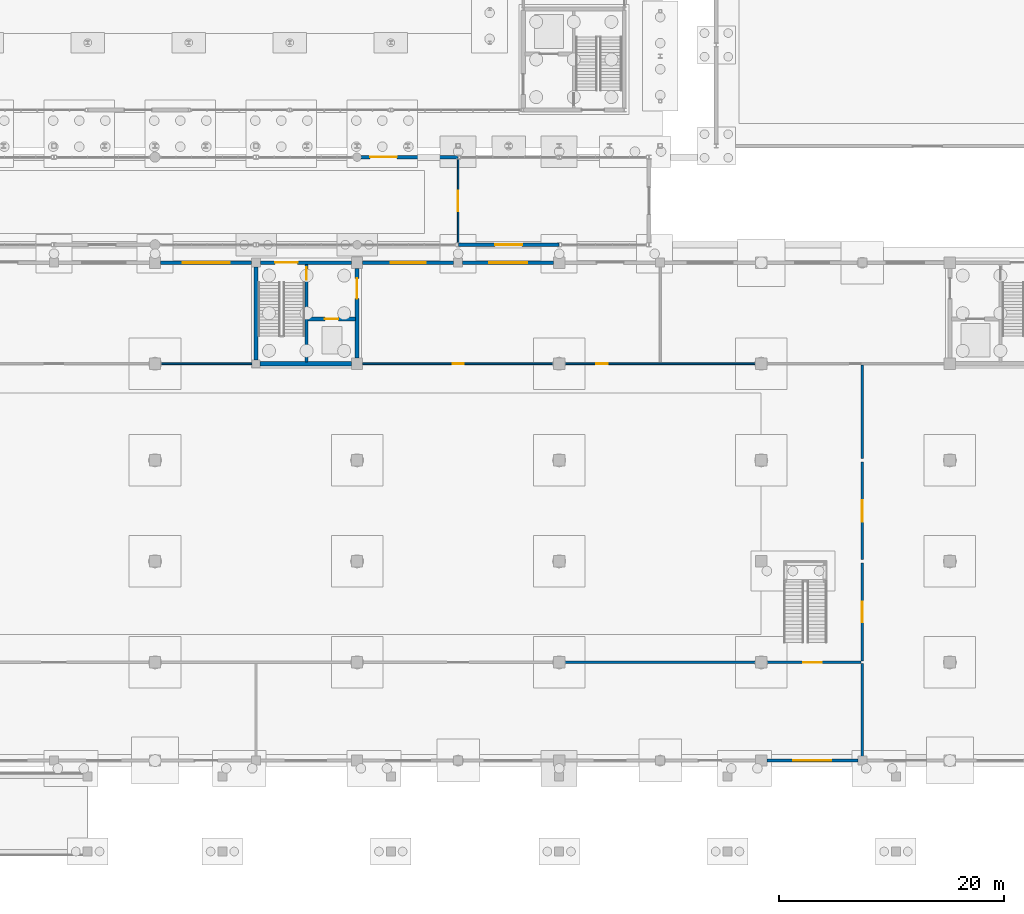
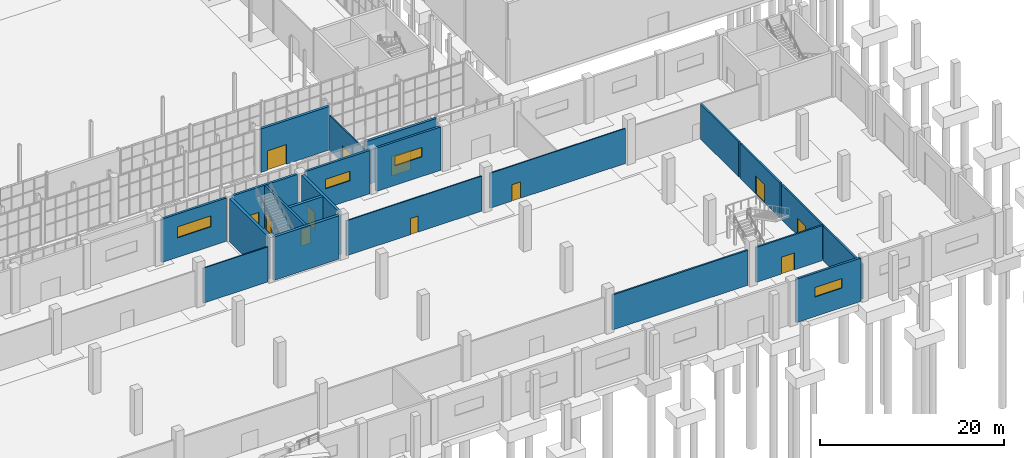
# One storey, part 104 of 131: 22 walls, 12 doors, 4 windows, 16 openings.
"""IFC4 building model written with IfcOpenShell, lengths in metres."""

from ifc_helpers import new_model, si_unit, direction, frame, frame_2d, origin, place, context, subcontext, project, spatial, rectangle, extrude, material, layer, layer_set, type_object, element, fill, save


model = new_model("IFC4")

# Units and contexts
model_context = context("Model", 3, precision=1e-05, world=origin(), true_north=direction((0.0, 1.0)))
body_context = subcontext(model_context, "Body", "Model", "MODEL_VIEW")
ifc_project = project(units=[si_unit("LENGTHUNIT", "METRE"), si_unit("AREAUNIT", "SQUARE_METRE"), si_unit("VOLUMEUNIT", "CUBIC_METRE"), si_unit("PLANEANGLEUNIT", "RADIAN"), si_unit("MASSUNIT", "GRAM", prefix="KILO")], contexts=[model_context])

# Site, building, storey
site_placement = place(None, origin())
site = spatial("IfcSite", under=ifc_project, at=site_placement, CompositionType="ELEMENT")
building_placement = place(site_placement, origin())
building = spatial("IfcBuilding", under=site, at=building_placement, Name="Cazmaro Siding Exhibition Halls", CompositionType="ELEMENT")
storey_placement = place(building_placement, origin())
storey = spatial("IfcBuildingStorey", under=building, at=storey_placement, Name="L00", CompositionType="ELEMENT", Elevation=0.0)

# Wall, opening, door
ifc_material_1 = material(Name="Concrete f'c 45 MPa", Category="concrete")
ifc_layer_1 = layer(ifc_material_1, 0.320068359375)
ifc_layer_set_1 = layer_set([ifc_layer_1], Name="Concrete f'c 45 MPa")
wall_type_1 = type_object("IfcWallType", Name="EW-01", PredefinedType="STANDARD", material=ifc_layer_set_1)
wall_1_placement = place(storey_placement, frame((144.360107421875, 63.0, 0.0), z_axis=(0.0, 0.0, 1.0), x_axis=(1.0, 0.0, 0.0)))
wall_1 = element("IfcWall", 1, at=wall_1_placement, inside=storey, type_object=wall_type_1, Name="Concourse North Colonnade Portal Wall EW-01 WL-E0182", PredefinedType="STANDARD", context=body_context, shape_type="SweptSolid", body=[
    extrude(rectangle(XDim=8.626953125, YDim=0.320068359375, at=frame_2d((4.3134765625, 0.0))), origin(), (0.0, 0.0, 1.0), 5.780029296875),
])
opening_1_placement = place(wall_1_placement, frame((0.7900390625, 0.0, 0.0)))
opening_1 = element("IfcOpeningElement", 2, at=opening_1_placement, cuts=wall_1, Name="Opening D-E049", PredefinedType="OPENING", context=body_context, shape_type="SweptSolid", body=[
    extrude(rectangle(XDim=2.39990234375, YDim=2.60009765625, at=frame_2d((1.199951171875, 1.300048828125))), frame((0.0, 0.169921875, 0.0), z_axis=(0.0, -1.0, 0.0), x_axis=(1.0, 0.0, 0.0)), (0.0, 0.0, 1.0), 0.340087890625),
])
ifc_material_2 = material(Name="Anodized Bronze Glazed Entrance Door", Category="aluminium")
door_type_1 = type_object("IfcDoorType", Name="ED-02", OperationType="DOUBLE_DOOR_SINGLE_SWING", PredefinedType="DOOR", material=ifc_material_2)
door_1_placement = place(opening_1_placement, origin())
door_1 = element("IfcDoor", 3, at=door_1_placement, inside=storey, type_object=door_type_1, Name="Exterior door D-E049 (ED-02)", OperationType="DOUBLE_DOOR_SINGLE_SWING", OverallHeight=2.60009765625, OverallWidth=2.39990234375, PredefinedType="DOOR", context=body_context, shape_type="SweptSolid", body=[
    extrude(rectangle(XDim=2.39990234375, YDim=2.60009765625, at=frame_2d((1.199951171875, 1.300048828125))), frame((0.0, 0.02490234375, 0.0), z_axis=(0.0, -1.0, 0.0), x_axis=(1.0, 0.0, 0.0)), (0.0, 0.0, 1.0), 0.050048828125),
])
fill(opening_1, door_1)

wall_2_placement = place(storey_placement, frame((161.987060546875, 55.199951171875, 0.0), z_axis=(0.0, 0.0, 1.0), x_axis=(-1.0, 0.0, 0.0)))
wall_2 = element("IfcWall", 4, at=wall_2_placement, inside=storey, type_object=wall_type_1, Name="Concourse Courtyard Portal Wall EW-01 WL-E0183", PredefinedType="STANDARD", context=body_context, shape_type="SweptSolid", body=[
    extrude(rectangle(XDim=8.97412109375, YDim=0.320068359375, at=frame_2d((4.487060546875, 0.0))), origin(), (0.0, 0.0, 1.0), 5.780029296875),
])
opening_2_placement = place(wall_2_placement, frame((3.287109375, 0.0, 0.0)))
opening_2 = element("IfcOpeningElement", 5, at=opening_2_placement, cuts=wall_2, Name="Opening D-E050", PredefinedType="OPENING", context=body_context, shape_type="SweptSolid", body=[
    extrude(rectangle(XDim=2.39990234375, YDim=2.60009765625, at=frame_2d((1.199951171875, 1.300048828125))), frame((0.0, 0.169921875, 0.0), z_axis=(0.0, -1.0, 0.0), x_axis=(1.0, 0.0, 0.0)), (0.0, 0.0, 1.0), 0.340087890625),
])
door_2_placement = place(opening_2_placement, origin())
door_2 = element("IfcDoor", 6, at=door_2_placement, inside=storey, type_object=door_type_1, Name="Exterior door D-E050 (ED-02)", OperationType="DOUBLE_DOOR_SINGLE_SWING", OverallHeight=2.60009765625, OverallWidth=2.39990234375, PredefinedType="DOOR", context=body_context, shape_type="SweptSolid", body=[
    extrude(rectangle(XDim=2.39990234375, YDim=2.60009765625, at=frame_2d((1.199951171875, 1.300048828125))), frame((0.0, 0.02490234375, 0.0), z_axis=(0.0, -1.0, 0.0), x_axis=(1.0, 0.0, 0.0)), (0.0, 0.0, 1.0), 0.050048828125),
])
fill(opening_2, door_2)

# Wall, opening, window
ifc_material_3 = material(Name="Precast concrete f'c 40 MPa", Category="concrete")
ifc_layer_2 = layer(ifc_material_3, 0.280029296875)
ifc_layer_set_2 = layer_set([ifc_layer_2], Name="Precast concrete f'c 40 MPa")
wall_type_2 = type_object("IfcWallType", Name="EW-02", PredefinedType="STANDARD", material=ifc_layer_set_2)
wall_3_placement = place(storey_placement, frame((126.491943359375, 53.60009765625, 0.0), z_axis=(0.0, 0.0, 1.0), x_axis=(1.0, 0.0, 0.0)))
wall_3 = element("IfcWall", 7, at=wall_3_placement, inside=storey, type_object=wall_type_2, Name="Hall B1 North Wall EW-02 WL-E0075", PredefinedType="STANDARD", context=body_context, shape_type="SweptSolid", body=[
    extrude(rectangle(XDim=8.115966796875, YDim=0.280029296875, at=frame_2d((4.05810546875, 0.0))), origin(), (0.0, 0.0, 1.0), 5.75),
])
opening_3_placement = place(wall_3_placement, frame((1.9580078125, 0.0, 2.60009765625)))
opening_3 = element("IfcOpeningElement", 8, at=opening_3_placement, cuts=wall_3, Name="Opening W-034", PredefinedType="OPENING", context=body_context, shape_type="SweptSolid", body=[
    extrude(rectangle(XDim=4.199951171875, YDim=1.449951171875, at=frame_2d((2.10009765625, 0.72509765625))), frame((0.0, 0.14990234375, 0.0), z_axis=(0.0, -1.0, 0.0), x_axis=(1.0, 0.0, 0.0)), (0.0, 0.0, 1.0), 0.300048828125),
])
ifc_material_4 = material(Name="Thermally Broken Aluminum Low-E Window Unit", Category="aluminium")
window_type_1 = type_object("IfcWindowType", Name="WT-28", PartitioningType="SINGLE_PANEL", PredefinedType="WINDOW", material=ifc_material_4)
window_1_placement = place(opening_3_placement, origin())
window_1 = element("IfcWindow", 9, at=window_1_placement, inside=storey, type_object=window_type_1, Name="Window W-034 (WT-28)", OverallHeight=1.449951171875, OverallWidth=4.199951171875, PartitioningType="SINGLE_PANEL", PredefinedType="WINDOW", context=body_context, shape_type="SweptSolid", body=[
    extrude(rectangle(XDim=4.199951171875, YDim=1.449951171875, at=frame_2d((2.10009765625, 0.72509765625))), frame((0.0, 0.030029296875, 0.0), z_axis=(0.0, -1.0, 0.0), x_axis=(1.0, 0.0, 0.0)), (0.0, 0.0, 1.0), 0.06005859375),
])
fill(opening_3, window_1)

# Wall, opening, door
wall_4_placement = place(storey_placement, frame((135.39208984375, 53.60009765625, 0.0), z_axis=(0.0, 0.0, 1.0), x_axis=(1.0, 0.0, 0.0)))
wall_4 = element("IfcWall", 10, at=wall_4_placement, inside=storey, type_object=wall_type_2, Name="Hall B1 North Wall EW-02 WL-E0081", PredefinedType="STANDARD", context=body_context, shape_type="SweptSolid", body=[
    extrude(rectangle(XDim=8.115966796875, YDim=0.280029296875, at=frame_2d((4.05810546875, 0.0))), origin(), (0.0, 0.0, 1.0), 5.75),
])
opening_4_placement = place(wall_4_placement, frame((1.300048828125, 0.0, 0.0)))
opening_4 = element("IfcOpeningElement", 11, at=opening_4_placement, cuts=wall_4, Name="Opening D-E019", PredefinedType="OPENING", context=body_context, shape_type="SweptSolid", body=[
    extrude(rectangle(XDim=2.0, YDim=2.39990234375, at=frame_2d((1.0, 1.199951171875))), frame((0.0, 0.14990234375, 0.0), z_axis=(0.0, -1.0, 0.0), x_axis=(1.0, 0.0, 0.0)), (0.0, 0.0, 1.0), 0.300048828125),
])
ifc_material_5 = material(Name="Anodized Bronze Glazed Entrance Door", Category="aluminium")
door_type_2 = type_object("IfcDoorType", Name="ED-01", OperationType="DOUBLE_DOOR_SINGLE_SWING", PredefinedType="DOOR", material=ifc_material_5)
door_3_placement = place(opening_4_placement, origin())
door_3 = element("IfcDoor", 12, at=door_3_placement, inside=storey, type_object=door_type_2, Name="Exterior door D-E019 (ED-01)", OperationType="DOUBLE_DOOR_SINGLE_SWING", OverallHeight=2.39990234375, OverallWidth=2.0, PredefinedType="DOOR", context=body_context, shape_type="SweptSolid", body=[
    extrude(rectangle(XDim=2.0, YDim=2.39990234375, at=frame_2d((1.0, 1.199951171875))), frame((0.0, 0.02490234375, 0.0), z_axis=(0.0, -1.0, 0.0), x_axis=(1.0, 0.0, 0.0)), (0.0, 0.0, 1.0), 0.050048828125),
])
fill(opening_4, door_3)

# Wall, opening, window
wall_5_placement = place(storey_placement, frame((144.491943359375, 53.60009765625, 0.0), z_axis=(0.0, 0.0, 1.0), x_axis=(1.0, 0.0, 0.0)))
wall_5 = element("IfcWall", 13, at=wall_5_placement, inside=storey, type_object=wall_type_2, Name="Hall B1 North Wall EW-02 WL-E0087", PredefinedType="STANDARD", context=body_context, shape_type="SweptSolid", body=[
    extrude(rectangle(XDim=8.115966796875, YDim=0.280029296875, at=frame_2d((4.05810546875, 0.0))), origin(), (0.0, 0.0, 1.0), 5.75),
])
opening_5_placement = place(wall_5_placement, frame((2.508056640625, 0.0, 2.60009765625)))
opening_5 = element("IfcOpeningElement", 14, at=opening_5_placement, cuts=wall_5, Name="Opening W-039", PredefinedType="OPENING", context=body_context, shape_type="SweptSolid", body=[
    extrude(rectangle(XDim=3.10009765625, YDim=1.25, at=frame_2d((1.550048828125, 0.625))), frame((0.0, 0.14990234375, 0.0), z_axis=(0.0, -1.0, 0.0), x_axis=(1.0, 0.0, 0.0)), (0.0, 0.0, 1.0), 0.300048828125),
])
ifc_material_6 = material(Name="Thermally Broken Aluminum Low-E Window Unit", Category="aluminium")
window_type_2 = type_object("IfcWindowType", Name="WT-20", PartitioningType="SINGLE_PANEL", PredefinedType="WINDOW", material=ifc_material_6)
window_2_placement = place(opening_5_placement, origin())
window_2 = element("IfcWindow", 15, at=window_2_placement, inside=storey, type_object=window_type_2, Name="Window W-039 (WT-20)", OverallHeight=1.25, OverallWidth=3.10009765625, PartitioningType="SINGLE_PANEL", PredefinedType="WINDOW", context=body_context, shape_type="SweptSolid", body=[
    extrude(rectangle(XDim=3.10009765625, YDim=1.25, at=frame_2d((1.550048828125, 0.625))), frame((0.0, 0.030029296875, 0.0), z_axis=(0.0, -1.0, 0.0), x_axis=(1.0, 0.0, 0.0)), (0.0, 0.0, 1.0), 0.06005859375),
])
fill(opening_5, window_2)

wall_6_placement = place(storey_placement, frame((153.39208984375, 53.60009765625, 0.0), z_axis=(0.0, 0.0, 1.0), x_axis=(1.0, 0.0, 0.0)))
wall_6 = element("IfcWall", 16, at=wall_6_placement, inside=storey, type_object=wall_type_2, Name="Hall B1 North Wall EW-02 WL-E0093", PredefinedType="STANDARD", context=body_context, shape_type="SweptSolid", body=[
    extrude(rectangle(XDim=8.115966796875, YDim=0.280029296875, at=frame_2d((4.05810546875, 0.0))), origin(), (0.0, 0.0, 1.0), 5.75),
])
opening_6_placement = place(wall_6_placement, frame((2.35791015625, 0.0, 2.60009765625)))
opening_6 = element("IfcOpeningElement", 17, at=opening_6_placement, cuts=wall_6, Name="Opening W-042", PredefinedType="OPENING", context=body_context, shape_type="SweptSolid", body=[
    extrude(rectangle(XDim=3.39990234375, YDim=1.25, at=frame_2d((1.699951171875, 0.625))), frame((0.0, 0.14990234375, 0.0), z_axis=(0.0, -1.0, 0.0), x_axis=(1.0, 0.0, 0.0)), (0.0, 0.0, 1.0), 0.300048828125),
])
ifc_material_7 = material(Name="Thermally Broken Aluminum Low-E Window Unit", Category="aluminium")
window_type_3 = type_object("IfcWindowType", Name="WT-21", PartitioningType="SINGLE_PANEL", PredefinedType="WINDOW", material=ifc_material_7)
window_3_placement = place(opening_6_placement, origin())
window_3 = element("IfcWindow", 18, at=window_3_placement, inside=storey, type_object=window_type_3, Name="Window W-042 (WT-21)", OverallHeight=1.25, OverallWidth=3.39990234375, PartitioningType="SINGLE_PANEL", PredefinedType="WINDOW", context=body_context, shape_type="SweptSolid", body=[
    extrude(rectangle(XDim=3.39990234375, YDim=1.25, at=frame_2d((1.699951171875, 0.625))), frame((0.0, 0.030029296875, 0.0), z_axis=(0.0, -1.0, 0.0), x_axis=(1.0, 0.0, 0.0)), (0.0, 0.0, 1.0), 0.06005859375),
])
fill(opening_6, window_3)

wall_7_placement = place(storey_placement, frame((188.60791015625, 9.25, 0.0), z_axis=(0.0, 0.0, 1.0), x_axis=(-1.0, 0.0, 0.0)))
wall_7 = element("IfcWall", 19, at=wall_7_placement, inside=storey, type_object=wall_type_2, Name="Hall B1 South Precast Wall EW-02 WL-E0108", PredefinedType="STANDARD", context=body_context, shape_type="SweptSolid", body=[
    extrude(rectangle(XDim=8.115966796875, YDim=0.280029296875, at=frame_2d((4.05810546875, 0.0))), origin(), (0.0, 0.0, 1.0), 5.75),
])
opening_7_placement = place(wall_7_placement, frame((2.35791015625, 0.0, 2.60009765625)))
opening_7 = element("IfcOpeningElement", 20, at=opening_7_placement, cuts=wall_7, Name="Opening W-047", PredefinedType="OPENING", context=body_context, shape_type="SweptSolid", body=[
    extrude(rectangle(XDim=3.39990234375, YDim=1.25, at=frame_2d((1.699951171875, 0.625))), frame((0.0, 0.14990234375, 0.0), z_axis=(0.0, -1.0, 0.0), x_axis=(1.0, 0.0, 0.0)), (0.0, 0.0, 1.0), 0.300048828125),
])
window_4_placement = place(opening_7_placement, origin())
window_4 = element("IfcWindow", 21, at=window_4_placement, inside=storey, type_object=window_type_3, Name="Window W-047 (WT-21)", OverallHeight=1.25, OverallWidth=3.39990234375, PartitioningType="SINGLE_PANEL", PredefinedType="WINDOW", context=body_context, shape_type="SweptSolid", body=[
    extrude(rectangle(XDim=3.39990234375, YDim=1.25, at=frame_2d((1.699951171875, 0.625))), frame((0.0, 0.030029296875, 0.0), z_axis=(0.0, -1.0, 0.0), x_axis=(1.0, 0.0, 0.0)), (0.0, 0.0, 1.0), 0.06005859375),
])
fill(opening_7, window_4)

# Wall
ifc_material_8 = material(Name="Fire-Rated Gypsum Board on Cold-Formed Steel Studs", Category="steel")
ifc_layer_3 = layer(ifc_material_8, 0.14501953125)
ifc_layer_set_3 = layer_set([ifc_layer_3], Name="Fire-Rated Gypsum Board on Cold-Formed Steel Studs")
wall_type_3 = type_object("IfcWallType", Name="PW-01", PredefinedType="PARTITIONING", material=ifc_layer_set_3)
wall_8_placement = place(storey_placement, frame((126.4951171875, 44.60009765625, 0.0), z_axis=(0.0, 0.0, 1.0), x_axis=(1.0, 0.0, 0.0)))
element("IfcWall", 22, at=wall_8_placement, inside=storey, type_object=wall_type_3, Name="Hall B1 North Service Partition PW-01 WL-I0162", PredefinedType="PARTITIONING", context=body_context, shape_type="SweptSolid", body=[
    extrude(rectangle(XDim=8.159912109375, YDim=0.14501953125, at=frame_2d((4.080078125, 0.0))), origin(), (0.0, 0.0, 1.0), 4.64990234375),
])

# Wall, opening, door
wall_9_placement = place(storey_placement, frame((144.4951171875, 44.60009765625, 0.0), z_axis=(0.0, 0.0, 1.0), x_axis=(1.0, 0.0, 0.0)))
wall_9 = element("IfcWall", 23, at=wall_9_placement, inside=storey, type_object=wall_type_3, Name="Hall B1 North Service Partition PW-01 WL-I0163", PredefinedType="PARTITIONING", context=body_context, shape_type="SweptSolid", body=[
    extrude(rectangle(XDim=17.009765625, YDim=0.14501953125, at=frame_2d((8.5048828125, 0.0))), origin(), (0.0, 0.0, 1.0), 4.64990234375),
])
opening_8_placement = place(wall_9_placement, frame((8.014892578125, 0.0, 0.0)))
opening_8 = element("IfcOpeningElement", 24, at=opening_8_placement, cuts=wall_9, Name="Opening D-I076", PredefinedType="OPENING", context=body_context, shape_type="SweptSolid", body=[
    extrude(rectangle(XDim=0.97998046875, YDim=2.14990234375, at=frame_2d((0.489990234375, 1.074951171875))), frame((0.0, 0.08251953125, 0.0), z_axis=(0.0, -1.0, 0.0), x_axis=(1.0, 0.0, 0.0)), (0.0, 0.0, 1.0), 0.1650390625),
])
ifc_material_9 = material(Name="Fire-Rated Painted Hollow Metal Door", Category="steel")
door_type_3 = type_object("IfcDoorType", Name="ID-03", OperationType="NOTDEFINED", PredefinedType="DOOR", material=ifc_material_9)
door_4_placement = place(opening_8_placement, origin())
door_4 = element("IfcDoor", 25, at=door_4_placement, inside=storey, type_object=door_type_3, Name="Interior door D-I076 (ID-03)", OperationType="SINGLE_SWING_RIGHT", OverallHeight=2.14990234375, OverallWidth=0.97998046875, PredefinedType="DOOR", context=body_context, shape_type="SweptSolid", body=[
    extrude(rectangle(XDim=0.97998046875, YDim=2.14990234375, at=frame_2d((0.489990234375, 1.074951171875))), frame((0.0, 0.02490234375, 0.0), z_axis=(0.0, -1.0, 0.0), x_axis=(1.0, 0.0, 0.0)), (0.0, 0.0, 1.0), 0.050048828125),
])
fill(opening_8, door_4)

wall_10_placement = place(storey_placement, frame((162.4951171875, 44.60009765625, 0.0), z_axis=(0.0, 0.0, 1.0), x_axis=(1.0, 0.0, 0.0)))
wall_10 = element("IfcWall", 26, at=wall_10_placement, inside=storey, type_object=wall_type_3, Name="Hall B1 North Service Partition PW-01 WL-I0164", PredefinedType="PARTITIONING", context=body_context, shape_type="SweptSolid", body=[
    extrude(rectangle(XDim=17.009765625, YDim=0.14501953125, at=frame_2d((8.5048828125, 0.0))), origin(), (0.0, 0.0, 1.0), 4.64990234375),
])
opening_9_placement = place(wall_10_placement, frame((2.800048828125, 0.0, 0.0)))
opening_9 = element("IfcOpeningElement", 27, at=opening_9_placement, cuts=wall_10, Name="Opening D-I077", PredefinedType="OPENING", context=body_context, shape_type="SweptSolid", body=[
    extrude(rectangle(XDim=1.050048828125, YDim=2.179931640625, at=frame_2d((0.52490234375, 1.08984375))), frame((0.0, 0.08251953125, 0.0), z_axis=(0.0, -1.0, 0.0), x_axis=(1.0, 0.0, 0.0)), (0.0, 0.0, 1.0), 0.1650390625),
])
ifc_material_10 = material(Name="Fire-Rated Painted Hollow Metal Door", Category="steel")
door_type_4 = type_object("IfcDoorType", Name="ID-06", OperationType="NOTDEFINED", PredefinedType="DOOR", material=ifc_material_10)
door_5_placement = place(opening_9_placement, origin())
door_5 = element("IfcDoor", 28, at=door_5_placement, inside=storey, type_object=door_type_4, Name="Interior door D-I077 (ID-06)", OperationType="SINGLE_SWING_LEFT", OverallHeight=2.179931640625, OverallWidth=1.050048828125, PredefinedType="DOOR", context=body_context, shape_type="SweptSolid", body=[
    extrude(rectangle(XDim=1.050048828125, YDim=2.179931640625, at=frame_2d((0.52490234375, 1.08984375))), frame((0.0, 0.02490234375, 0.0), z_axis=(0.0, -1.0, 0.0), x_axis=(1.0, 0.0, 0.0)), (0.0, 0.0, 1.0), 0.050048828125),
])
fill(opening_9, door_5)

wall_11_placement = place(storey_placement, frame((153.0, 55.376953125, 0.0), z_axis=(0.0, 0.0, 1.0), x_axis=(0.0, 1.0, 0.0)))
wall_11 = element("IfcWall", 29, at=wall_11_placement, inside=storey, type_object=wall_type_3, Name="Concourse Foyer Smoke Partition PW-01 WL-I0170", PredefinedType="PARTITIONING", context=body_context, shape_type="SweptSolid", body=[
    extrude(rectangle(XDim=7.446044921875, YDim=0.14501953125, at=frame_2d((3.72314453125, 0.0))), origin(), (0.0, 0.0, 1.0), 4.64990234375),
])
opening_10_placement = place(wall_11_placement, frame((2.822998046875, 0.0, 0.0)))
opening_10 = element("IfcOpeningElement", 30, at=opening_10_placement, cuts=wall_11, Name="Opening D-I083", PredefinedType="OPENING", context=body_context, shape_type="SweptSolid", body=[
    extrude(rectangle(XDim=1.800048828125, YDim=2.300048828125, at=frame_2d((0.89990234375, 1.14990234375))), frame((0.0, 0.08251953125, 0.0), z_axis=(0.0, -1.0, 0.0), x_axis=(1.0, 0.0, 0.0)), (0.0, 0.0, 1.0), 0.1650390625),
])
ifc_material_11 = material(Name="Fire-Rated Painted Hollow Metal Door", Category="steel")
door_type_5 = type_object("IfcDoorType", Name="ID-02", OperationType="DOUBLE_DOOR_SINGLE_SWING", PredefinedType="DOOR", material=ifc_material_11)
door_6_placement = place(opening_10_placement, origin())
door_6 = element("IfcDoor", 31, at=door_6_placement, inside=storey, type_object=door_type_5, Name="Interior door D-I083 (ID-02)", OperationType="DOUBLE_DOOR_SINGLE_SWING", OverallHeight=2.300048828125, OverallWidth=1.800048828125, PredefinedType="DOOR", context=body_context, shape_type="SweptSolid", body=[
    extrude(rectangle(XDim=1.800048828125, YDim=2.300048828125, at=frame_2d((0.89990234375, 1.14990234375))), frame((0.0, 0.02490234375, 0.0), z_axis=(0.0, -1.0, 0.0), x_axis=(1.0, 0.0, 0.0)), (0.0, 0.0, 1.0), 0.050048828125),
])
fill(opening_10, door_6)

# Wall
ifc_material_12 = material(Name="Concrete Masonry Unit Acoustic Partition", Category="masonry")
ifc_layer_4 = layer(ifc_material_12, 0.205078125)
ifc_layer_set_4 = layer_set([ifc_layer_4], Name="Concrete Masonry Unit Acoustic Partition")
wall_type_4 = type_object("IfcWallType", Name="PW-04", PredefinedType="PARTITIONING", material=ifc_layer_set_4)
wall_12_placement = place(storey_placement, frame((162.4951171875, 18.0, 0.0), z_axis=(0.0, 0.0, 1.0), x_axis=(1.0, 0.0, 0.0)))
element("IfcWall", 32, at=wall_12_placement, inside=storey, type_object=wall_type_4, Name="Hall B1 South Plant Partition PW-04 WL-I0152", PredefinedType="PARTITIONING", context=body_context, shape_type="SweptSolid", body=[
    extrude(rectangle(XDim=17.009765625, YDim=0.205078125, at=frame_2d((8.5048828125, 0.0))), origin(), (0.0, 0.0, 1.0), 4.64990234375),
])

# Wall, opening, door
wall_13_placement = place(storey_placement, frame((180.52001953125, 18.0, 0.0), z_axis=(0.0, 0.0, 1.0), x_axis=(1.0, 0.0, 0.0)))
wall_13 = element("IfcWall", 33, at=wall_13_placement, inside=storey, type_object=wall_type_4, Name="Hall B1 South Plant East Partition PW-04 WL-I0153", PredefinedType="PARTITIONING", context=body_context, shape_type="SweptSolid", body=[
    extrude(rectangle(XDim=8.3798828125, YDim=0.205078125, at=frame_2d((4.18994140625, 0.0))), origin(), (0.0, 0.0, 1.0), 4.64990234375),
])
opening_11_placement = place(wall_13_placement, frame((3.199951171875, 0.0, 0.0)))
opening_11 = element("IfcOpeningElement", 34, at=opening_11_placement, cuts=wall_13, Name="Opening D-I071", PredefinedType="OPENING", context=body_context, shape_type="SweptSolid", body=[
    extrude(rectangle(XDim=1.64990234375, YDim=2.25, at=frame_2d((0.824951171875, 1.125))), frame((0.0, 0.112548828125, 0.0), z_axis=(0.0, -1.0, 0.0), x_axis=(1.0, 0.0, 0.0)), (0.0, 0.0, 1.0), 0.22509765625),
])
ifc_material_13 = material(Name="Fire-Rated Painted Hollow Metal Door", Category="steel")
door_type_6 = type_object("IfcDoorType", Name="ID-05", OperationType="DOUBLE_DOOR_SINGLE_SWING", PredefinedType="DOOR", material=ifc_material_13)
door_7_placement = place(opening_11_placement, origin())
door_7 = element("IfcDoor", 35, at=door_7_placement, inside=storey, type_object=door_type_6, Name="Interior door D-I071 (ID-05)", OperationType="DOUBLE_DOOR_SINGLE_SWING", OverallHeight=2.25, OverallWidth=1.64990234375, PredefinedType="DOOR", context=body_context, shape_type="SweptSolid", body=[
    extrude(rectangle(XDim=1.64990234375, YDim=2.25, at=frame_2d((0.824951171875, 1.125))), frame((0.0, 0.02490234375, 0.0), z_axis=(0.0, -1.0, 0.0), x_axis=(1.0, 0.0, 0.0)), (0.0, 0.0, 1.0), 0.050048828125),
])
fill(opening_11, door_7)

# Wall
wall_14_placement = place(storey_placement, frame((189.0, 9.39990234375, 0.0), z_axis=(0.0, 0.0, 1.0), x_axis=(0.0, 1.0, 0.0)))
element("IfcWall", 36, at=wall_14_placement, inside=storey, type_object=wall_type_4, Name="Hall B1 Freight Dock Partition PW-04 WL-I0155", PredefinedType="PARTITIONING", context=body_context, shape_type="SweptSolid", body=[
    extrude(rectangle(XDim=8.47998046875, YDim=0.205078125, at=frame_2d((4.239990234375, 0.0))), origin(), (0.0, 0.0, 1.0), 4.64990234375),
])

# Wall, opening, door
wall_15_placement = place(storey_placement, frame((189.0, 18.1201171875, 0.0), z_axis=(0.0, 0.0, 1.0), x_axis=(0.0, 1.0, 0.0)))
wall_15 = element("IfcWall", 37, at=wall_15_placement, inside=storey, type_object=wall_type_4, Name="Hall B1 Freight Dock Partition PW-04 WL-I0156", PredefinedType="PARTITIONING", context=body_context, shape_type="SweptSolid", body=[
    extrude(rectangle(XDim=8.72998046875, YDim=0.205078125, at=frame_2d((4.364990234375, 0.0))), origin(), (0.0, 0.0, 1.0), 4.64990234375),
])
opening_12_placement = place(wall_15_placement, frame((3.465087890625, 0.0, 0.0)))
opening_12 = element("IfcOpeningElement", 38, at=opening_12_placement, cuts=wall_15, Name="Opening D-I072", PredefinedType="OPENING", context=body_context, shape_type="SweptSolid", body=[
    extrude(rectangle(XDim=1.800048828125, YDim=2.300048828125, at=frame_2d((0.89990234375, 1.14990234375))), frame((0.0, 0.112548828125, 0.0), z_axis=(0.0, -1.0, 0.0), x_axis=(1.0, 0.0, 0.0)), (0.0, 0.0, 1.0), 0.22509765625),
])
door_8_placement = place(opening_12_placement, origin())
door_8 = element("IfcDoor", 39, at=door_8_placement, inside=storey, type_object=door_type_5, Name="Interior door D-I072 (ID-02)", OperationType="DOUBLE_DOOR_SINGLE_SWING", OverallHeight=2.300048828125, OverallWidth=1.800048828125, PredefinedType="DOOR", context=body_context, shape_type="SweptSolid", body=[
    extrude(rectangle(XDim=1.800048828125, YDim=2.300048828125, at=frame_2d((0.89990234375, 1.14990234375))), frame((0.0, 0.02490234375, 0.0), z_axis=(0.0, -1.0, 0.0), x_axis=(1.0, 0.0, 0.0)), (0.0, 0.0, 1.0), 0.050048828125),
])
fill(opening_12, door_8)

wall_16_placement = place(storey_placement, frame((189.0, 27.14990234375, 0.0), z_axis=(0.0, 0.0, 1.0), x_axis=(0.0, 1.0, 0.0)))
wall_16 = element("IfcWall", 40, at=wall_16_placement, inside=storey, type_object=wall_type_4, Name="Hall B1 Freight Dock Partition PW-04 WL-I0157", PredefinedType="PARTITIONING", context=body_context, shape_type="SweptSolid", body=[
    extrude(rectangle(XDim=8.7001953125, YDim=0.205078125, at=frame_2d((4.35009765625, 0.0))), origin(), (0.0, 0.0, 1.0), 4.64990234375),
])
opening_13_placement = place(wall_16_placement, frame((3.389892578125, 0.0, 0.0)))
opening_13 = element("IfcOpeningElement", 41, at=opening_13_placement, cuts=wall_16, Name="Opening D-I073", PredefinedType="OPENING", context=body_context, shape_type="SweptSolid", body=[
    extrude(rectangle(XDim=1.919921875, YDim=2.360107421875, at=frame_2d((0.9599609375, 1.18017578125))), frame((0.0, 0.112548828125, 0.0), z_axis=(0.0, -1.0, 0.0), x_axis=(1.0, 0.0, 0.0)), (0.0, 0.0, 1.0), 0.22509765625),
])
ifc_material_14 = material(Name="Fire-Rated Painted Hollow Metal Door", Category="steel")
door_type_7 = type_object("IfcDoorType", Name="ID-11", OperationType="DOUBLE_DOOR_SINGLE_SWING", PredefinedType="DOOR", material=ifc_material_14)
door_9_placement = place(opening_13_placement, origin())
door_9 = element("IfcDoor", 42, at=door_9_placement, inside=storey, type_object=door_type_7, Name="Interior door D-I073 (ID-11)", OperationType="DOUBLE_DOOR_SINGLE_SWING", OverallHeight=2.360107421875, OverallWidth=1.919921875, PredefinedType="DOOR", context=body_context, shape_type="SweptSolid", body=[
    extrude(rectangle(XDim=1.919921875, YDim=2.360107421875, at=frame_2d((0.9599609375, 1.18017578125))), frame((0.0, 0.02490234375, 0.0), z_axis=(0.0, -1.0, 0.0), x_axis=(1.0, 0.0, 0.0)), (0.0, 0.0, 1.0), 0.050048828125),
])
fill(opening_13, door_9)

# Walls
wall_17_placement = place(storey_placement, frame((189.0, 36.14990234375, 0.0), z_axis=(0.0, 0.0, 1.0), x_axis=(0.0, 1.0, 0.0)))
element("IfcWall", 43, at=wall_17_placement, inside=storey, type_object=wall_type_4, Name="Hall B1 Freight Dock Partition PW-04 WL-I0158", PredefinedType="PARTITIONING", context=body_context, shape_type="SweptSolid", body=[
    extrude(rectangle(XDim=8.330078125, YDim=0.205078125, at=frame_2d((4.1650390625, 0.0))), origin(), (0.0, 0.0, 1.0), 4.64990234375),
])
ifc_material_15 = material(Name="Concrete f'c 50 MPa", Category="concrete")
ifc_layer_5 = layer(ifc_material_15, 0.360107421875)
ifc_layer_set_5 = layer_set([ifc_layer_5], Name="Concrete f'c 50 MPa")
wall_type_5 = type_object("IfcWallType", Name="SW-01", PredefinedType="SHEAR", material=ifc_layer_set_5)
wall_18_placement = place(storey_placement, frame((135.0, 44.945068359375, 0.0), z_axis=(0.0, 0.0, 1.0), x_axis=(0.0, 1.0, 0.0)))
element("IfcWall", 44, at=wall_18_placement, inside=storey, type_object=wall_type_5, Name="Core C4 West Shear Wall SW-01 WL-I0037", PredefinedType="SHEAR", context=body_context, shape_type="SweptSolid", body=[
    extrude(rectangle(XDim=8.260009765625, YDim=0.360107421875, at=frame_2d((4.1298828125, 0.0))), origin(), (0.0, 0.0, 1.0), 5.75),
])

# Wall, opening, door
wall_19_placement = place(storey_placement, frame((144.0, 45.094970703125, 0.0), z_axis=(0.0, 0.0, 1.0), x_axis=(0.0, 1.0, 0.0)))
wall_19 = element("IfcWall", 45, at=wall_19_placement, inside=storey, type_object=wall_type_5, Name="Core C4 East Shear Wall SW-01 WL-I0038", PredefinedType="SHEAR", context=body_context, shape_type="SweptSolid", body=[
    extrude(rectangle(XDim=8.010009765625, YDim=0.360107421875, at=frame_2d((4.0048828125, 0.0))), origin(), (0.0, 0.0, 1.0), 5.75),
])
opening_14_placement = place(wall_19_placement, frame((5.304931640625, 0.0, 0.0)))
opening_14 = element("IfcOpeningElement", 46, at=opening_14_placement, cuts=wall_19, Name="Opening D-I020", PredefinedType="OPENING", context=body_context, shape_type="SweptSolid", body=[
    extrude(rectangle(XDim=1.800048828125, YDim=2.300048828125, at=frame_2d((0.89990234375, 1.14990234375))), frame((0.0, 0.18994140625, 0.0), z_axis=(0.0, -1.0, 0.0), x_axis=(1.0, 0.0, 0.0)), (0.0, 0.0, 1.0), 0.380126953125),
])
door_10_placement = place(opening_14_placement, origin())
door_10 = element("IfcDoor", 47, at=door_10_placement, inside=storey, type_object=door_type_5, Name="Interior door D-I020 (ID-02)", OperationType="DOUBLE_DOOR_SINGLE_SWING", OverallHeight=2.300048828125, OverallWidth=1.800048828125, PredefinedType="DOOR", context=body_context, shape_type="SweptSolid", body=[
    extrude(rectangle(XDim=1.800048828125, YDim=2.300048828125, at=frame_2d((0.89990234375, 1.14990234375))), frame((0.0, 0.02490234375, 0.0), z_axis=(0.0, -1.0, 0.0), x_axis=(1.0, 0.0, 0.0)), (0.0, 0.0, 1.0), 0.050048828125),
])
fill(opening_14, door_10)

# Wall
wall_20_placement = place(storey_placement, frame((135.344970703125, 44.60009765625, 0.0), z_axis=(0.0, 0.0, 1.0), x_axis=(1.0, 0.0, 0.0)))
element("IfcWall", 48, at=wall_20_placement, inside=storey, type_object=wall_type_5, Name="Core C4 South Shear Wall SW-01 WL-I0039", PredefinedType="SHEAR", context=body_context, shape_type="SweptSolid", body=[
    extrude(rectangle(XDim=8.159912109375, YDim=0.360107421875, at=frame_2d((4.080078125, 0.0))), origin(), (0.0, 0.0, 1.0), 5.75),
])

# Wall, opening, door
wall_21_placement = place(storey_placement, frame((139.614990234375, 48.60009765625, 0.0), z_axis=(0.0, 0.0, 1.0), x_axis=(1.0, 0.0, 0.0)))
wall_21 = element("IfcWall", 49, at=wall_21_placement, inside=storey, type_object=wall_type_5, Name="Core C4 Lift Shaft Wall SW-01 WL-I0041", PredefinedType="SHEAR", context=body_context, shape_type="SweptSolid", body=[
    extrude(rectangle(XDim=4.219970703125, YDim=0.360107421875, at=frame_2d((2.10986328125, 0.0))), origin(), (0.0, 0.0, 1.0), 5.75),
])
opening_15_placement = place(wall_21_placement, frame((1.510009765625, 0.0, 0.0)))
opening_15 = element("IfcOpeningElement", 50, at=opening_15_placement, cuts=wall_21, Name="Opening LD-010", PredefinedType="OPENING", context=body_context, shape_type="SweptSolid", body=[
    extrude(rectangle(XDim=1.199951171875, YDim=2.300048828125, at=frame_2d((0.60009765625, 1.14990234375))), frame((0.0, 0.18994140625, 0.0), z_axis=(0.0, -1.0, 0.0), x_axis=(1.0, 0.0, 0.0)), (0.0, 0.0, 1.0), 0.380126953125),
])
ifc_material_16 = material(Name="Stainless Steel Elevator Landing Door", Category="steel")
door_type_8 = type_object("IfcDoorType", Name="LD-01", OperationType="SLIDING_TO_LEFT", PredefinedType="DOOR", material=ifc_material_16)
door_11_placement = place(opening_15_placement, origin())
door_11 = element("IfcDoor", 51, at=door_11_placement, inside=storey, type_object=door_type_8, Name="Interior door LD-010 (LD-01)", OperationType="SLIDING_TO_LEFT", OverallHeight=2.300048828125, OverallWidth=1.199951171875, PredefinedType="DOOR", context=body_context, shape_type="SweptSolid", body=[
    extrude(rectangle(XDim=1.199951171875, YDim=2.300048828125, at=frame_2d((0.60009765625, 1.14990234375))), frame((0.0, 0.02490234375, 0.0), z_axis=(0.0, -1.0, 0.0), x_axis=(1.0, 0.0, 0.0)), (0.0, 0.0, 1.0), 0.050048828125),
])
fill(opening_15, door_11)

ifc_material_17 = material(Name="Concrete f'c 50 MPa", Category="concrete")
ifc_layer_6 = layer(ifc_material_17, 0.25)
ifc_layer_set_6 = layer_set([ifc_layer_6], Name="Concrete f'c 50 MPa")
wall_type_6 = type_object("IfcWallType", Name="SW-02", PredefinedType="SHEAR", material=ifc_layer_set_6)
wall_22_placement = place(storey_placement, frame((139.5, 44.764892578125, 0.0), z_axis=(0.0, 0.0, 1.0), x_axis=(0.0, 1.0, 0.0)))
wall_22 = element("IfcWall", 52, at=wall_22_placement, inside=storey, type_object=wall_type_6, Name="Core C4 Stair-Lobby Divider SW-02 WL-I0040", PredefinedType="SHEAR", context=body_context, shape_type="SweptSolid", body=[
    extrude(rectangle(XDim=8.670166015625, YDim=0.25, at=frame_2d((4.3349609375, 0.0))), origin(), (0.0, 0.0, 1.0), 5.75),
])
opening_16_placement = place(wall_22_placement, frame((7.320068359375, 0.0, 0.0)))
opening_16 = element("IfcOpeningElement", 53, at=opening_16_placement, cuts=wall_22, Name="Opening D-I019", PredefinedType="OPENING", context=body_context, shape_type="SweptSolid", body=[
    extrude(rectangle(XDim=1.10009765625, YDim=2.199951171875, at=frame_2d((0.550048828125, 1.10009765625))), frame((0.0, 0.135009765625, 0.0), z_axis=(0.0, -1.0, 0.0), x_axis=(1.0, 0.0, 0.0)), (0.0, 0.0, 1.0), 0.27001953125),
])
ifc_material_18 = material(Name="Fire-Rated Painted Hollow Metal Door", Category="steel")
door_type_9 = type_object("IfcDoorType", Name="ID-01", OperationType="NOTDEFINED", PredefinedType="DOOR", material=ifc_material_18)
door_12_placement = place(opening_16_placement, origin())
door_12 = element("IfcDoor", 54, at=door_12_placement, inside=storey, type_object=door_type_9, Name="Interior door D-I019 (ID-01)", OperationType="SINGLE_SWING_RIGHT", OverallHeight=2.199951171875, OverallWidth=1.10009765625, PredefinedType="DOOR", context=body_context, shape_type="SweptSolid", body=[
    extrude(rectangle(XDim=1.10009765625, YDim=2.199951171875, at=frame_2d((0.550048828125, 1.10009765625))), frame((0.0, 0.02490234375, 0.0), z_axis=(0.0, -1.0, 0.0), x_axis=(1.0, 0.0, 0.0)), (0.0, 0.0, 1.0), 0.050048828125),
])
fill(opening_16, door_12)

save(model, "model.ifc")
